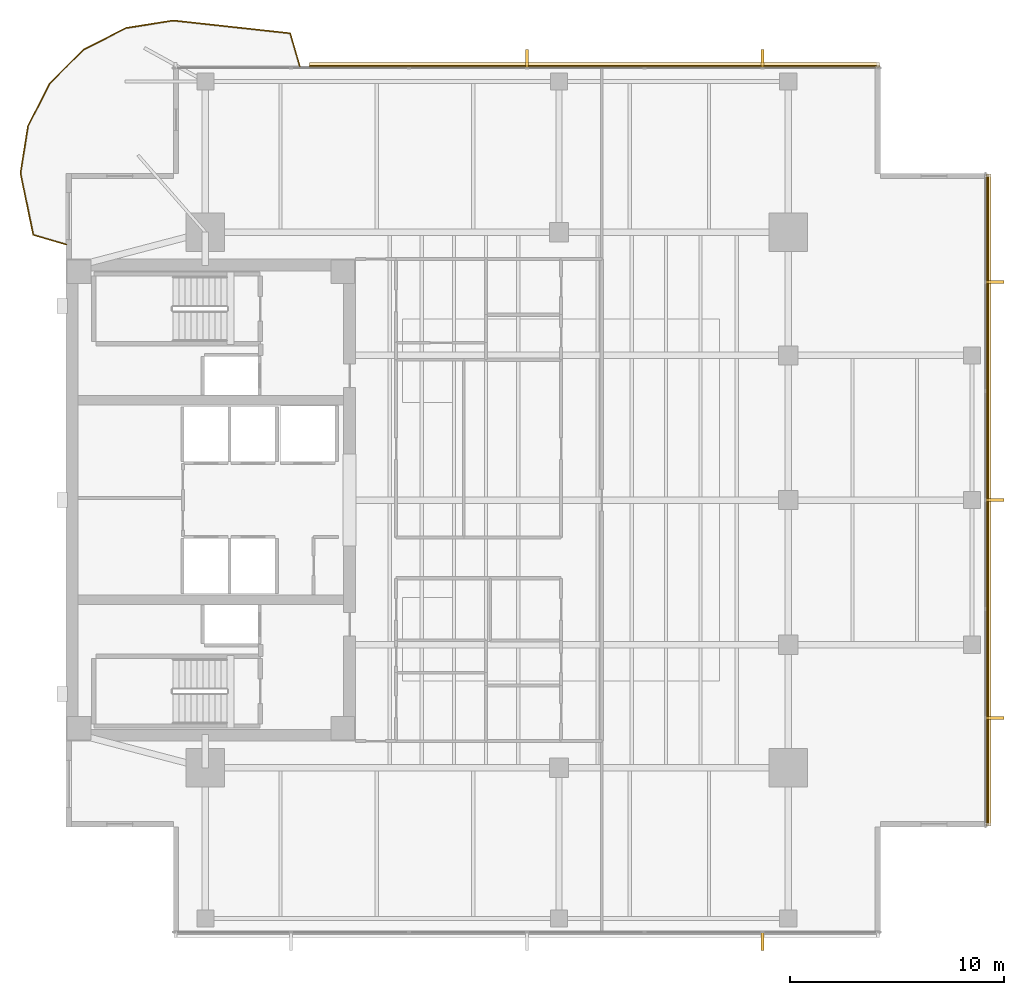
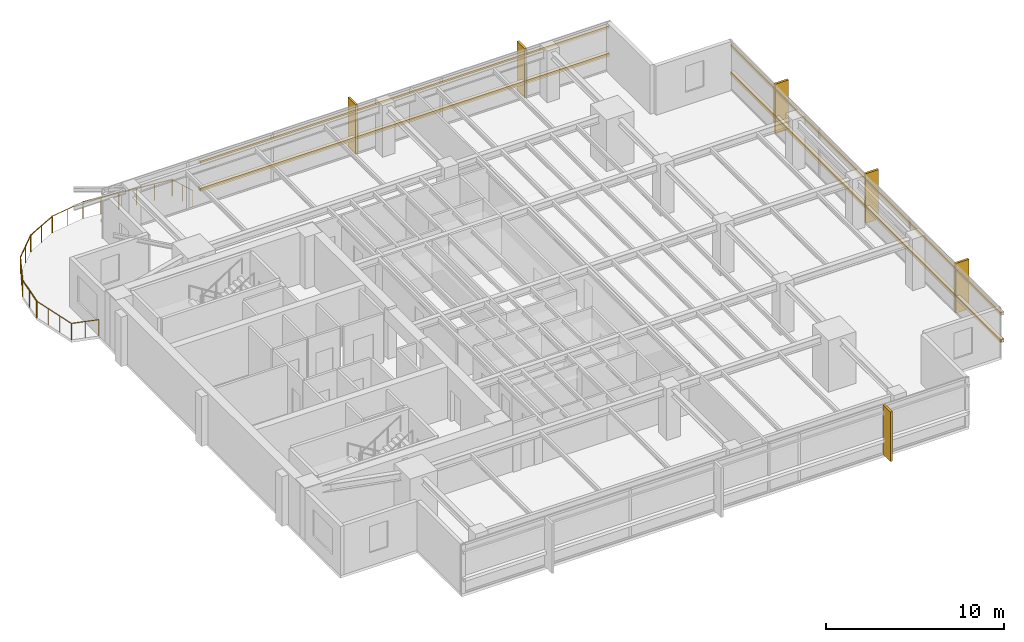
# One storey, part 14 of 14: 10 coverings, 9 railings, 4 shading devices.
"""IFC4 building model written with IfcOpenShell, lengths in metres."""

import ifcopenshell
import ifcopenshell.guid

model = None  # the IFC model being written
_history = None  # IfcOwnerHistory: only IFC2X3 demands one
_inside = {}  # id of a spatial element -> (the spatial element, [elements in it])
_under = {}  # id of a project, library or spatial element -> (it, [spatial elements below it])
_declared = {}  # id of a project -> (the project, [libraries it declares])
_typed = {}  # id of a type object -> (the type object, [elements of that type])
_made_of = {}  # id of a material, layer set ... -> (it, [elements and type objects made of it])


def new_model(schema):
    """Start an empty IFC model of exactly this schema.

    Asked for "IFC4X3", IfcOpenShell would pick the latest addendum, in which some entities
    have other attributes; the version numbers below select the first issue.
    IFC2X3 requires an IfcOwnerHistory on every rooted entity: one is made here for all.
    """
    global model, _history
    if schema == "IFC4X3":
        model = ifcopenshell.file(schema_version=(4, 3, 0, 0))
    else:
        model = ifcopenshell.file(schema=schema)
    _inside.clear()
    _under.clear()
    _declared.clear()
    _typed.clear()
    _made_of.clear()
    _history = None
    if model.schema == "IFC2X3":
        org = make("IfcOrganization", Name="unknown")
        user = make(
            "IfcPersonAndOrganization",
            ThePerson=make("IfcPerson", FamilyName="unknown"),
            TheOrganization=org,
        )
        app = make(
            "IfcApplication",
            ApplicationDeveloper=org,
            Version="unknown",
            ApplicationFullName="unknown",
            ApplicationIdentifier="unknown",
        )
        _history = make(
            "IfcOwnerHistory",
            OwningUser=user,
            OwningApplication=app,
            ChangeAction="ADDED",
            CreationDate=0,
        )
    return model


def make(cls, **values):
    """One entity of the class cls with the attributes given. An attribute that is None is left unset."""
    return model.create_entity(
        cls, **{name: value for name, value in values.items() if value is not None}
    )


def rooted(cls, **values):
    """An entity with a GlobalId (a new one), such as an element, a storey or a relation."""
    return make(cls, GlobalId=ifcopenshell.guid.new(), OwnerHistory=_history, **values)


def si_unit(unit_type, name, prefix=None):
    """IfcSIUnit, for example si_unit("LENGTHUNIT", "METRE", prefix="MILLI")."""
    return make("IfcSIUnit", UnitType=unit_type, Prefix=prefix, Name=name)


def assignment(units):
    """IfcUnitAssignment: the units of a project."""
    return None if units is None else make("IfcUnitAssignment", Units=units)


def point(xyz):
    """IfcCartesianPoint."""
    return None if xyz is None else make("IfcCartesianPoint", Coordinates=xyz)


def direction(xyz):
    """IfcDirection."""
    return None if xyz is None else make("IfcDirection", DirectionRatios=xyz)


def frame(location, z_axis=None, x_axis=None):
    """IfcAxis2Placement3D, a coordinate frame: its origin and axes. An axis left out is left unset."""
    return make(
        "IfcAxis2Placement3D",
        Location=point(location),
        Axis=direction(z_axis),
        RefDirection=direction(x_axis),
    )


def frame_2d(location, x_axis=None):
    """IfcAxis2Placement2D, a coordinate frame in the plane: its origin and x axis."""
    return make(
        "IfcAxis2Placement2D", Location=point(location), RefDirection=direction(x_axis)
    )


def origin():
    """The frame at (0, 0, 0) with its axes left unset."""
    return frame((0.0, 0.0, 0.0))


def origin_2d():
    """The frame at (0, 0) in the plane with its x axis left unset."""
    return frame_2d((0.0, 0.0))


def place(relative_to, where):
    """IfcLocalPlacement: puts the frame where relative to a parent placement (None: the world)."""
    return make(
        "IfcLocalPlacement", PlacementRelTo=relative_to, RelativePlacement=where
    )


def context(
    kind, dimensions, precision=None, world=None, true_north=None, identifier=None
):
    """IfcGeometricRepresentationContext, for example the 3D "Model" context."""
    return make(
        "IfcGeometricRepresentationContext",
        ContextIdentifier=identifier,
        ContextType=kind,
        CoordinateSpaceDimension=dimensions,
        Precision=precision,
        WorldCoordinateSystem=world,
        TrueNorth=true_north,
    )


def subcontext(parent, identifier, kind, view, scale=None):
    """IfcGeometricRepresentationSubContext, for example "Body" below "Model"."""
    return make(
        "IfcGeometricRepresentationSubContext",
        ContextIdentifier=identifier,
        ContextType=kind,
        ParentContext=parent,
        TargetScale=scale,
        TargetView=view,
    )


def project(units=None, contexts=None):
    """IfcProject with its units and contexts."""
    return rooted(
        "IfcProject",
        Name="project",
        RepresentationContexts=contexts,
        UnitsInContext=assignment(units),
    )


def spatial(cls, under=None, at=None, **own):
    """A site, building, storey or space (cls), placed at a placement, below another one or the project."""
    s = rooted(cls, ObjectPlacement=at, **own)
    if under is not None:
        _under.setdefault(under.id(), (under, []))[1].append(s)
    return s


def polyline(points):
    """IfcPolyline through the points."""
    return make("IfcPolyline", Points=[point(p) for p in points])


def profile(cls, at=None, kind="AREA", **sizes):
    """A parametric profile (cls). Its sizes go by their IFC names, for example OverallWidth=200.0."""
    return make(cls, ProfileType=kind, Position=at, **sizes)


def rectangle(**sizes):
    """IfcRectangleProfileDef."""
    return profile("IfcRectangleProfileDef", **sizes)


def circle(**sizes):
    """IfcCircleProfileDef."""
    return profile("IfcCircleProfileDef", **sizes)


def outline(outer, holes=None, kind="AREA"):
    """IfcArbitraryClosedProfileDef: a profile drawn as a closed curve; with holes, ...WithVoids."""
    if holes is None:
        return make("IfcArbitraryClosedProfileDef", ProfileType=kind, OuterCurve=outer)
    return make(
        "IfcArbitraryProfileDefWithVoids",
        ProfileType=kind,
        OuterCurve=outer,
        InnerCurves=holes,
    )


def extrude(swept, where, along, depth):
    """IfcExtrudedAreaSolid: the profile swept, set in the frame where, extruded along a direction by depth."""
    return make(
        "IfcExtrudedAreaSolid",
        SweptArea=swept,
        Position=where,
        ExtrudedDirection=direction(along),
        Depth=depth,
    )


def shape(context_of_items, identifier, shape_type, items):
    """IfcShapeRepresentation: the items that make up one representation, for example the "Body"."""
    return make(
        "IfcShapeRepresentation",
        ContextOfItems=context_of_items,
        RepresentationIdentifier=identifier,
        RepresentationType=shape_type,
        Items=items,
    )


def material(Name=None, Category=None):
    """IfcMaterial."""
    return make("IfcMaterial", Name=Name, Category=Category)


def layer(
    of_material, thickness, ventilated=None, Name=None, Category=None, Priority=None
):
    """IfcMaterialLayer: one layer of a wall or slab, of a material (None: an air gap)."""
    return make(
        "IfcMaterialLayer",
        Material=of_material,
        LayerThickness=thickness,
        IsVentilated=ventilated,
        Name=Name,
        Category=Category,
        Priority=Priority,
    )


def layer_set(layers, Name=None):
    """IfcMaterialLayerSet."""
    return make("IfcMaterialLayerSet", MaterialLayers=layers, LayerSetName=Name)


def material_profile(
    of_material, cross_section, Name=None, Category=None, Priority=None
):
    """IfcMaterialProfile: a cross section and its material."""
    return make(
        "IfcMaterialProfile",
        Name=Name,
        Material=of_material,
        Profile=cross_section,
        Priority=Priority,
        Category=Category,
    )


def profile_set(profiles, Name=None, composite=None):
    """IfcMaterialProfileSet."""
    return make(
        "IfcMaterialProfileSet",
        Name=Name,
        MaterialProfiles=profiles,
        CompositeProfile=composite,
    )


def made_of(thing, what):
    """Note that an element or type object is made of a material, layer set ...; save() writes the relation."""
    if what is not None:
        _made_of.setdefault(what.id(), (what, []))[1].append(thing)
    return thing


def type_object(cls, material=None, **own):
    """A type object (cls), such as IfcWallType, which elements share."""
    return made_of(rooted(cls, **own), material)


def element(
    cls,
    number,
    at=None,
    inside=None,
    cuts=None,
    type_object=None,
    material=None,
    context=None,
    identifier="Body",
    shape_type=None,
    held_by="IfcProductDefinitionShape",
    body=None,
    shapes=None,
    **own,
):
    """One element of the class cls, such as IfcWall. Its Tag is "e" and its number.

    at: its placement. inside: the storey or other place that contains it. cuts: it is an
    opening in that element (IfcRelVoidsElement). A single representation is given by context,
    identifier, shape_type and body (its items); several are given by shapes. held_by: the class
    of the entity that holds the representations. save() writes the other relations.
    """
    e = rooted(cls, Tag="e%d" % number, ObjectPlacement=at, **own)
    if body is not None:
        shapes = [shape(context, identifier, shape_type, body)]
    if shapes is not None:
        e.Representation = make(held_by, Representations=shapes)
    if inside is not None:
        _inside.setdefault(inside.id(), (inside, []))[1].append(e)
    if cuts is not None:
        rooted(
            "IfcRelVoidsElement", RelatingBuildingElement=cuts, RelatedOpeningElement=e
        )
    if type_object is not None:
        _typed.setdefault(type_object.id(), (type_object, []))[1].append(e)
    return made_of(e, material)


def aggregate(whole, parts):
    """IfcRelAggregates: a whole, such as a stair, and the parts it consists of."""
    return rooted("IfcRelAggregates", RelatingObject=whole, RelatedObjects=parts)


def save(model, path):
    """Write the relations noted so far, then the file.

    IfcRelAggregates (storeys below a building ...), IfcRelContainedInSpatialStructure (elements
    in a storey), IfcRelDefinesByType, IfcRelAssociatesMaterial and IfcRelDeclares: one each for
    every whole, place, type object, material and project.
    """
    for whole, parts in _under.values():
        aggregate(whole, parts)
    for where, things in _inside.values():
        rooted(
            "IfcRelContainedInSpatialStructure",
            RelatedElements=things,
            RelatingStructure=where,
        )
    for kind, things in _typed.values():
        rooted("IfcRelDefinesByType", RelatedObjects=things, RelatingType=kind)
    for what, things in _made_of.values():
        rooted("IfcRelAssociatesMaterial", RelatedObjects=things, RelatingMaterial=what)
    for by, libraries in _declared.values():
        rooted("IfcRelDeclares", RelatingContext=by, RelatedDefinitions=libraries)
    model.write(path)


model = new_model("IFC4")

# Units and contexts
model_context = context("Model", 3, precision=1e-05, world=origin(), true_north=direction((0.0, 1.0)))
body_context = subcontext(model_context, "Body", "Model", "MODEL_VIEW")
ifc_project = project(units=[si_unit("LENGTHUNIT", "METRE"), si_unit("AREAUNIT", "SQUARE_METRE"), si_unit("VOLUMEUNIT", "CUBIC_METRE"), si_unit("PLANEANGLEUNIT", "RADIAN"), si_unit("MASSUNIT", "GRAM", prefix="KILO")], contexts=[model_context])

# Site, building, storey
site_placement = place(None, origin())
site = spatial("IfcSite", under=ifc_project, at=site_placement, CompositionType="ELEMENT")
building_placement = place(site_placement, origin())
building = spatial("IfcBuilding", under=site, at=building_placement, Name="Kinhvarn Gate Tower", CompositionType="ELEMENT")
storey_placement = place(building_placement, frame((0.0, 0.0, 191.60009765625)))
storey = spatial("IfcBuildingStorey", under=building, at=storey_placement, Name="L50", CompositionType="ELEMENT", Elevation=191.60009765625)

# Coverings
ifc_material_1 = material(Name="Fired architectural terracotta", Category="masonry")
ifc_layer_1 = layer(ifc_material_1, 0.239990234375)
ifc_layer_set_1 = layer_set([ifc_layer_1], Name="Fired architectural terracotta")
covering_type_1 = type_object("IfcCoveringType", Name="COV-BAG-220", PredefinedType="CLADDING", material=ifc_layer_set_1)
for number, where, name in (
    (1, (0.0, 0.0, 0.93994140625), "Terracotta Horizontal Sunscreen Band TBG-220 (L50)"),
    (2, (0.0, 0.0, 2.809814453125), "Terracotta Horizontal Sunscreen Band TBG-220 (L50)"),
):
    element("IfcCovering", number, at=place(storey_placement, frame(where)), inside=storey, type_object=covering_type_1, Name=name, PredefinedType="CLADDING", context=body_context, shape_type="SweptSolid", body=[
        extrude(outline(polyline([(42.4599609375, 45.429931640625), (15.85302734375, 45.429931640625), (15.85302734375, 45.669921875), (42.4599609375, 45.669921875), (42.4599609375, 45.429931640625)])), origin(), (0.0, 0.0, 1.0), 0.219970703125),
    ])
for number, where, name in (
    (3, (0.0, 0.0, 0.93994140625), "Terracotta Horizontal Sunscreen Band TBG-220 (L50)"),
    (4, (0.0, 0.0, 2.809814453125), "Terracotta Horizontal Sunscreen Band TBG-220 (L50)"),
):
    element("IfcCovering", number, at=place(storey_placement, frame(where)), inside=storey, type_object=covering_type_1, Name=name, PredefinedType="CLADDING", context=body_context, shape_type="SweptSolid", body=[
        extrude(outline(polyline([(47.429931640625, 10.0400390625), (47.429931640625, 40.4599609375), (47.669921875, 40.4599609375), (47.669921875, 10.0400390625), (47.429931640625, 10.0400390625)])), origin(), (0.0, 0.0, 1.0), 0.219970703125),
    ])
ifc_layer_2 = layer(ifc_material_1, 0.139892578125)
ifc_layer_set_2 = layer_set([ifc_layer_2], Name="Fired architectural terracotta")
covering_type_2 = type_object("IfcCoveringType", Name="COV-FIN-850", PredefinedType="CLADDING", material=ifc_layer_set_2)
covering_1_placement = place(storey_placement, frame((0.0, 0.0, -0.02001953125)))
element("IfcCovering", 5, at=covering_1_placement, inside=storey, type_object=covering_type_2, Name="Vertical Terracotta Expressive Fin TFN-850 (L50)", PredefinedType="CLADDING", context=body_context, shape_type="SweptSolid", body=[
    extrude(outline(polyline([(36.929931640625, 5.080078125), (37.070068359375, 5.080078125), (37.070068359375, 4.22998046875), (36.929931640625, 4.22998046875), (36.929931640625, 5.080078125)])), origin(), (0.0, 0.0, 1.0), 3.409912109375),
])
covering_2_placement = place(storey_placement, frame((0.0, 0.0, -0.02001953125)))
element("IfcCovering", 6, at=covering_2_placement, inside=storey, type_object=covering_type_2, Name="Vertical Terracotta Expressive Fin TFN-850 (L50)", PredefinedType="CLADDING", context=body_context, shape_type="SweptSolid", body=[
    extrude(outline(polyline([(37.070068359375, 45.419921875), (36.929931640625, 45.419921875), (36.929931640625, 46.27001953125), (37.070068359375, 46.27001953125), (37.070068359375, 45.419921875)])), origin(), (0.0, 0.0, 1.0), 3.409912109375),
])
covering_3_placement = place(storey_placement, frame((0.0, 0.0, -0.02001953125)))
element("IfcCovering", 7, at=covering_3_placement, inside=storey, type_object=covering_type_2, Name="Vertical Terracotta Expressive Fin TFN-850 (L50)", PredefinedType="CLADDING", context=body_context, shape_type="SweptSolid", body=[
    extrude(outline(polyline([(26.070068359375, 45.419921875), (25.929931640625, 45.419921875), (25.929931640625, 46.27001953125), (26.070068359375, 46.27001953125), (26.070068359375, 45.419921875)])), origin(), (0.0, 0.0, 1.0), 3.409912109375),
])
covering_4_placement = place(storey_placement, frame((0.0, 0.0, -0.02001953125)))
element("IfcCovering", 8, at=covering_4_placement, inside=storey, type_object=covering_type_2, Name="Vertical Terracotta Expressive Fin TFN-850 (L50)", PredefinedType="CLADDING", context=body_context, shape_type="SweptSolid", body=[
    extrude(outline(polyline([(47.419921875, 15.01318359375), (47.419921875, 15.1533203125), (48.27001953125, 15.1533203125), (48.27001953125, 15.01318359375), (47.419921875, 15.01318359375)])), origin(), (0.0, 0.0, 1.0), 3.409912109375),
])
covering_5_placement = place(storey_placement, frame((0.0, 0.0, -0.02001953125)))
element("IfcCovering", 9, at=covering_5_placement, inside=storey, type_object=covering_type_2, Name="Vertical Terracotta Expressive Fin TFN-850 (L50)", PredefinedType="CLADDING", context=body_context, shape_type="SweptSolid", body=[
    extrude(outline(polyline([(47.419921875, 25.179931640625), (47.419921875, 25.320068359375), (48.27001953125, 25.320068359375), (48.27001953125, 25.179931640625), (47.419921875, 25.179931640625)])), origin(), (0.0, 0.0, 1.0), 3.409912109375),
])
covering_6_placement = place(storey_placement, frame((0.0, 0.0, -0.02001953125)))
element("IfcCovering", 10, at=covering_6_placement, inside=storey, type_object=covering_type_2, Name="Vertical Terracotta Expressive Fin TFN-850 (L50)", PredefinedType="CLADDING", context=body_context, shape_type="SweptSolid", body=[
    extrude(outline(polyline([(47.419921875, 35.3466796875), (47.419921875, 35.48681640625), (48.27001953125, 35.48681640625), (48.27001953125, 35.3466796875), (47.419921875, 35.3466796875)])), origin(), (0.0, 0.0, 1.0), 3.409912109375),
])

# Railings
ifc_material_2 = material(Name="Clear low-e double glazing", Category="glass")
railing_type = type_object("IfcRailingType", Name="RL-BAL-1150", PredefinedType="BALUSTRADE", material=ifc_material_2)
railing_1_placement = place(storey_placement, frame((15.403076171875, 45.5, 0.0)))
element("IfcRailing", 11, at=railing_1_placement, inside=storey, type_object=railing_type, Name="S-Carve Balcony Guardrail Seg 1 (L50)", PredefinedType="BALUSTRADE", context=body_context, shape_type="SweptSolid", body=[
    extrude(circle(Radius=0.02392578125, at=origin_2d()), frame((0.0, 0.0, 1.1259765625), z_axis=(-0.281571047854, 0.959540382168, 0.0), x_axis=(-0.959540382168, -0.281571047854, 0.0)), (0.0, 0.0, 1.0), 1.598876953125),
    extrude(circle(Radius=0.02099609375, at=origin_2d()), origin(), (0.0, 0.0, 1.0), 1.101806640625),
    extrude(circle(Radius=0.02099609375, at=origin_2d()), frame((-0.22509765625, 0.76708984375, 0.0)), (0.0, 0.0, 1.0), 1.101806640625),
    extrude(circle(Radius=0.02099609375, at=origin_2d()), frame((-0.4501953125, 1.5341796875, 0.0)), (0.0, 0.0, 1.0), 1.101806640625),
])
railing_2_placement = place(storey_placement, frame((14.952880859375, 47.0341796875, 0.0)))
element("IfcRailing", 12, at=railing_2_placement, inside=storey, type_object=railing_type, Name="S-Carve Balcony Guardrail Seg 2 (L50)", PredefinedType="BALUSTRADE", context=body_context, shape_type="SweptSolid", body=[
    extrude(circle(Radius=0.02392578125, at=origin_2d()), frame((0.0, 0.0, 1.1259765625), z_axis=(-0.994061540497, 0.108819362727, 0.0), x_axis=(-0.108819362727, -0.994061540497, 0.0)), (0.0, 0.0, 1.0), 5.4853515625),
    extrude(circle(Radius=0.02099609375, at=origin_2d()), origin(), (0.0, 0.0, 1.0), 1.101806640625),
    extrude(circle(Radius=0.02099609375, at=origin_2d()), frame((-1.090576171875, 0.119384765625, 0.0)), (0.0, 0.0, 1.0), 1.101806640625),
    extrude(circle(Radius=0.02099609375, at=origin_2d()), frame((-2.18115234375, 0.23876953125, 0.0)), (0.0, 0.0, 1.0), 1.101806640625),
    extrude(circle(Radius=0.02099609375, at=origin_2d()), frame((-3.271728515625, 0.358154296875, 0.0)), (0.0, 0.0, 1.0), 1.101806640625),
    extrude(circle(Radius=0.02099609375, at=origin_2d()), frame((-4.3623046875, 0.4775390625, 0.0)), (0.0, 0.0, 1.0), 1.101806640625),
    extrude(circle(Radius=0.02099609375, at=origin_2d()), frame((-5.452880859375, 0.596923828125, 0.0)), (0.0, 0.0, 1.0), 1.101806640625),
])
railing_3_placement = place(storey_placement, frame((9.5, 47.631103515625, 0.0)))
element("IfcRailing", 13, at=railing_3_placement, inside=storey, type_object=railing_type, Name="S-Carve Balcony Guardrail Seg 3 (L50)", PredefinedType="BALUSTRADE", context=body_context, shape_type="SweptSolid", body=[
    extrude(circle(Radius=0.02392578125, at=origin_2d()), frame((0.0, 0.0, 1.1259765625), z_axis=(-0.98768120399, -0.15647951714, 0.0), x_axis=(0.15647951714, -0.98768120399, 0.0)), (0.0, 0.0, 1.0), 2.231201171875),
    extrude(circle(Radius=0.02099609375, at=origin_2d()), origin(), (0.0, 0.0, 1.0), 1.101806640625),
    extrude(circle(Radius=0.02099609375, at=origin_2d()), frame((-1.101806640625, -0.174560546875, 0.0)), (0.0, 0.0, 1.0), 1.101806640625),
    extrude(circle(Radius=0.02099609375, at=origin_2d()), frame((-2.20361328125, -0.34912109375, 0.0)), (0.0, 0.0, 1.0), 1.101806640625),
])
railing_4_placement = place(storey_placement, frame((7.29638671875, 47.281982421875, 0.0)))
element("IfcRailing", 14, at=railing_4_placement, inside=storey, type_object=railing_type, Name="S-Carve Balcony Guardrail Seg 4 (L50)", PredefinedType="BALUSTRADE", context=body_context, shape_type="SweptSolid", body=[
    extrude(circle(Radius=0.02392578125, at=origin_2d()), frame((0.0, 0.0, 1.1259765625), z_axis=(-0.890986878646, -0.454029054225, 0.0), x_axis=(0.454029054225, -0.890986878646, 0.0)), (0.0, 0.0, 1.0), 2.23095703125),
    extrude(circle(Radius=0.02099609375, at=origin_2d()), origin(), (0.0, 0.0, 1.0), 1.101806640625),
    extrude(circle(Radius=0.02099609375, at=origin_2d()), frame((-0.993896484375, -0.50634765625, 0.0)), (0.0, 0.0, 1.0), 1.101806640625),
    extrude(circle(Radius=0.02099609375, at=origin_2d()), frame((-1.98779296875, -1.012939453125, 0.0)), (0.0, 0.0, 1.0), 1.101806640625),
])
railing_5_placement = place(storey_placement, frame((5.30859375, 46.26904296875, 0.0)))
element("IfcRailing", 15, at=railing_5_placement, inside=storey, type_object=railing_type, Name="S-Carve Balcony Guardrail Seg 5 (L50)", PredefinedType="BALUSTRADE", context=body_context, shape_type="SweptSolid", body=[
    extrude(circle(Radius=0.02392578125, at=origin_2d()), frame((0.0, 0.0, 1.1259765625), z_axis=(-0.707106781187, -0.707106781187, 0.0), x_axis=(0.707106781187, -0.707106781187, 0.0)), (0.0, 0.0, 1.0), 2.231201171875),
    extrude(circle(Radius=0.02099609375, at=origin_2d()), origin(), (0.0, 0.0, 1.0), 1.101806640625),
    extrude(circle(Radius=0.02099609375, at=origin_2d()), frame((-0.788818359375, -0.788818359375, 0.0)), (0.0, 0.0, 1.0), 1.101806640625),
    extrude(circle(Radius=0.02099609375, at=origin_2d()), frame((-1.57763671875, -1.57763671875, 0.0)), (0.0, 0.0, 1.0), 1.101806640625),
])
railing_6_placement = place(storey_placement, frame((3.73095703125, 44.69140625, 0.0)))
element("IfcRailing", 16, at=railing_6_placement, inside=storey, type_object=railing_type, Name="S-Carve Balcony Guardrail Seg 6 (L50)", PredefinedType="BALUSTRADE", context=body_context, shape_type="SweptSolid", body=[
    extrude(circle(Radius=0.02392578125, at=origin_2d()), frame((0.0, 0.0, 1.1259765625), z_axis=(-0.454029054225, -0.890986878646, 0.0), x_axis=(0.890986878646, -0.454029054225, 0.0)), (0.0, 0.0, 1.0), 2.23095703125),
    extrude(circle(Radius=0.02099609375, at=origin_2d()), origin(), (0.0, 0.0, 1.0), 1.101806640625),
    extrude(circle(Radius=0.02099609375, at=origin_2d()), frame((-0.50634765625, -0.993896484375, 0.0)), (0.0, 0.0, 1.0), 1.101806640625),
    extrude(circle(Radius=0.02099609375, at=origin_2d()), frame((-1.012939453125, -1.98779296875, 0.0)), (0.0, 0.0, 1.0), 1.101806640625),
])
railing_7_placement = place(storey_placement, frame((2.718017578125, 42.70361328125, 0.0)))
element("IfcRailing", 17, at=railing_7_placement, inside=storey, type_object=railing_type, Name="S-Carve Balcony Guardrail Seg 7 (L50)", PredefinedType="BALUSTRADE", context=body_context, shape_type="SweptSolid", body=[
    extrude(circle(Radius=0.02392578125, at=origin_2d()), frame((0.0, 0.0, 1.1259765625), z_axis=(-0.15647951714, -0.98768120399, 0.0), x_axis=(0.98768120399, -0.15647951714, 0.0)), (0.0, 0.0, 1.0), 2.231201171875),
    extrude(circle(Radius=0.02099609375, at=origin_2d()), origin(), (0.0, 0.0, 1.0), 1.101806640625),
    extrude(circle(Radius=0.02099609375, at=origin_2d()), frame((-0.174560546875, -1.101806640625, 0.0)), (0.0, 0.0, 1.0), 1.101806640625),
    extrude(circle(Radius=0.02099609375, at=origin_2d()), frame((-0.34912109375, -2.20361328125, 0.0)), (0.0, 0.0, 1.0), 1.101806640625),
])
railing_8_placement = place(storey_placement, frame((2.368896484375, 40.5, 0.0)))
element("IfcRailing", 18, at=railing_8_placement, inside=storey, type_object=railing_type, Name="S-Carve Balcony Guardrail Seg 8 (L50)", PredefinedType="BALUSTRADE", context=body_context, shape_type="SweptSolid", body=[
    extrude(circle(Radius=0.02392578125, at=origin_2d()), frame((0.0, 0.0, 1.1259765625), z_axis=(0.203422633604, -0.979091023418, 0.0), x_axis=(0.979091023418, 0.203422633604, 0.0)), (0.0, 0.0, 1.0), 2.934326171875),
    extrude(circle(Radius=0.02099609375, at=origin_2d()), origin(), (0.0, 0.0, 1.0), 1.101806640625),
    extrude(circle(Radius=0.02099609375, at=origin_2d()), frame((0.198974609375, -0.957763671875, 0.0)), (0.0, 0.0, 1.0), 1.101806640625),
    extrude(circle(Radius=0.02099609375, at=origin_2d()), frame((0.39794921875, -1.915283203125, 0.0)), (0.0, 0.0, 1.0), 1.101806640625),
    extrude(circle(Radius=0.02099609375, at=origin_2d()), frame((0.596923828125, -2.873046875, 0.0)), (0.0, 0.0, 1.0), 1.101806640625),
])
railing_9_placement = place(storey_placement, frame((2.9658203125, 37.626953125, 0.0)))
element("IfcRailing", 19, at=railing_9_placement, inside=storey, type_object=railing_type, Name="S-Carve Balcony Guardrail Seg 9 (L50)", PredefinedType="BALUSTRADE", context=body_context, shape_type="SweptSolid", body=[
    extrude(circle(Radius=0.02392578125, at=origin_2d()), frame((0.0, 0.0, 1.1259765625), z_axis=(0.959581628806, -0.281430449059, 0.0), x_axis=(0.281430449059, 0.959581628806, 0.0)), (0.0, 0.0, 1.0), 1.598876953125),
    extrude(circle(Radius=0.02099609375, at=origin_2d()), origin(), (0.0, 0.0, 1.0), 1.101806640625),
    extrude(circle(Radius=0.02099609375, at=origin_2d()), frame((0.76708984375, -0.22509765625, 0.0)), (0.0, 0.0, 1.0), 1.101806640625),
    extrude(circle(Radius=0.02099609375, at=origin_2d()), frame((1.5341796875, -0.449951171875, 0.0)), (0.0, 0.0, 1.0), 1.101806640625),
])

# Shading devices
ifc_material_profile = material_profile(ifc_material_1, rectangle(XDim=0.050048828125, YDim=0.1201171875, at=origin_2d()), Name="TC 50x120")
ifc_profile_set = profile_set([ifc_material_profile], Name="Fired architectural terracotta")
shading_device_type = type_object("IfcShadingDeviceType", Name="SHD-BAG-140", PredefinedType="USERDEFINED", material=ifc_profile_set)
for number, where, z_axis, x_axis, name in (
    (20, (42.4599609375, 45.5, 1.0498046875), (-1.0, 0.0, 0.0), (0.0, -1.0, 0.0), "Upper Tower Terracotta Baguette Screen Rod 50x120 mm (L50)"),
    (21, (42.4599609375, 45.5, 2.919921875), (-1.0, 0.0, 0.0), (0.0, -1.0, 0.0), "Upper Tower Terracotta Baguette Screen Rod 50x120 mm (L50)"),
):
    element("IfcShadingDevice", number, at=place(storey_placement, frame(where, z_axis=z_axis, x_axis=x_axis)), inside=storey, type_object=shading_device_type, Name=name, ObjectType="BAGUETTE", PredefinedType="USERDEFINED", context=body_context, shape_type="SweptSolid", body=[
        extrude(rectangle(XDim=0.050048828125, YDim=0.1201171875, at=origin_2d()), origin(), (0.0, 0.0, 1.0), 26.60693359375),
    ])
for number, where, z_axis, x_axis, name in (
    (22, (47.5, 10.0400390625, 1.0498046875), (0.0, 1.0, 0.0), (-1.0, 0.0, 0.0), "Upper Tower Terracotta Baguette Screen Rod 50x120 mm (L50)"),
    (23, (47.5, 10.0400390625, 2.919921875), (0.0, 1.0, 0.0), (-1.0, 0.0, 0.0), "Upper Tower Terracotta Baguette Screen Rod 50x120 mm (L50)"),
):
    element("IfcShadingDevice", number, at=place(storey_placement, frame(where, z_axis=z_axis, x_axis=x_axis)), inside=storey, type_object=shading_device_type, Name=name, ObjectType="BAGUETTE", PredefinedType="USERDEFINED", context=body_context, shape_type="SweptSolid", body=[
        extrude(rectangle(XDim=0.050048828125, YDim=0.1201171875, at=origin_2d()), origin(), (0.0, 0.0, 1.0), 30.419921875),
    ])

save(model, "model.ifc")
